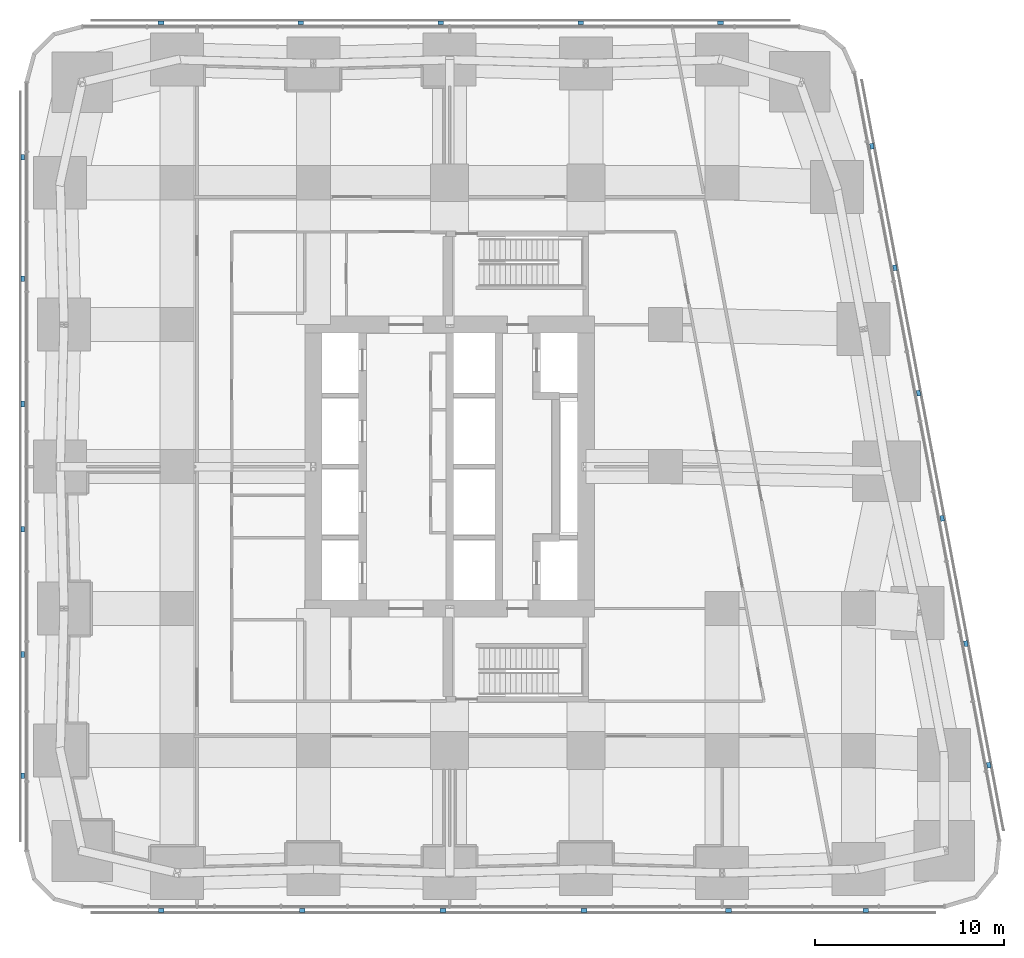
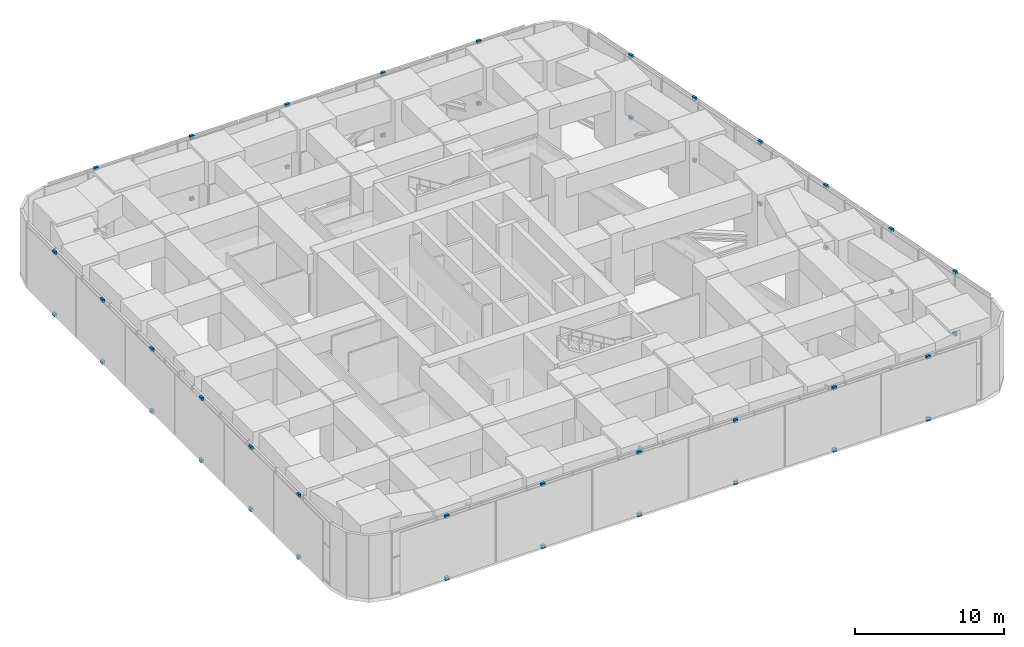
# One storey, part 18 of 20: 46 discrete accessories.
"""IFC4 building model written with IfcOpenShell, lengths in metres."""

from ifc_helpers import new_model, si_unit, direction, frame, origin, origin_2d, place, context, subcontext, project, spatial, rectangle, extrude, material, type_object, element, save


model = new_model("IFC4")

# Units and contexts
model_context = context("Model", 3, precision=1e-05, world=origin(), true_north=direction((0.0, 1.0)))
body_context = subcontext(model_context, "Body", "Model", "MODEL_VIEW")
ifc_project = project(units=[si_unit("LENGTHUNIT", "METRE"), si_unit("AREAUNIT", "SQUARE_METRE"), si_unit("VOLUMEUNIT", "CUBIC_METRE"), si_unit("PLANEANGLEUNIT", "RADIAN"), si_unit("MASSUNIT", "GRAM", prefix="KILO")], contexts=[model_context])

# Site, building, storey
site_placement = place(None, origin())
site = spatial("IfcSite", under=ifc_project, at=site_placement, CompositionType="ELEMENT")
building_placement = place(site_placement, origin())
building = spatial("IfcBuilding", under=site, at=building_placement, Name="Sheger Commons Tower", CompositionType="ELEMENT")
storey_placement = place(building_placement, frame((0.0, 0.0, 72.5)))
storey = spatial("IfcBuildingStorey", under=building, at=storey_placement, Name="L18", CompositionType="ELEMENT", Elevation=72.5)

# Discrete accessories
ifc_material = material(Name="Black painted steel bracket", Category="steel")
discrete_accessory_type = type_object("IfcDiscreteAccessoryType", Name="SCREEN BRACKET 300x200x250", PredefinedType="BRACKET", material=ifc_material)
for number, where, z_axis, x_axis, name in (
    (1, (6.37109375, -0.949951171875, -0.10009765625), (0.0, 0.0, 1.0), (1.0, 0.0, 0.0), "Solar screen foot bracket"),
    (2, (6.37109375, -0.949951171875, 4.949951171875), (0.0, 0.0, 1.0), (1.0, 0.0, 0.0), "Solar screen head bracket"),
    (3, (13.81396484375, -0.949951171875, -0.10009765625), (0.0, 0.0, 1.0), (1.0, 0.0, 0.0), "Solar screen foot bracket"),
    (4, (13.81396484375, -0.949951171875, 4.949951171875), (0.0, 0.0, 1.0), (1.0, 0.0, 0.0), "Solar screen head bracket"),
    (5, (21.257080078125, -0.949951171875, -0.10009765625), (0.0, 0.0, 1.0), (1.0, 0.0, 0.0), "Solar screen foot bracket"),
    (6, (21.257080078125, -0.949951171875, 4.949951171875), (0.0, 0.0, 1.0), (1.0, 0.0, 0.0), "Solar screen head bracket"),
    (7, (28.698974609375, -0.949951171875, -0.10009765625), (0.0, 0.0, 1.0), (1.0, 0.0, 0.0), "Solar screen foot bracket"),
    (8, (28.698974609375, -0.949951171875, 4.949951171875), (0.0, 0.0, 1.0), (1.0, 0.0, 0.0), "Solar screen head bracket"),
    (9, (36.342041015625, -0.949951171875, -0.10009765625), (0.0, 0.0, 1.0), (1.0, 0.0, 0.0), "Solar screen foot bracket"),
    (10, (36.342041015625, -0.949951171875, 4.949951171875), (0.0, 0.0, 1.0), (1.0, 0.0, 0.0), "Solar screen head bracket"),
    (11, (43.5849609375, -0.949951171875, -0.10009765625), (0.0, 0.0, 1.0), (1.0, 0.0, 0.0), "Solar screen foot bracket"),
    (12, (43.5849609375, -0.949951171875, 4.949951171875), (0.0, 0.0, 1.0), (1.0, 0.0, 0.0), "Solar screen head bracket"),
    (13, (50.096923828125, 6.722900390625, -0.10009765625), (0.0, 0.0, 1.0), (-0.185615165645, 0.982622516678, 0.0), "Solar screen foot bracket"),
    (14, (50.096923828125, 6.722900390625, 4.949951171875), (0.0, 0.0, 1.0), (-0.185615165645, 0.982622516678, 0.0), "Solar screen head bracket"),
    (15, (48.884033203125, 13.14599609375, -0.10009765625), (0.0, 0.0, 1.0), (-0.185615165645, 0.982622516678, 0.0), "Solar screen foot bracket"),
    (16, (48.884033203125, 13.14599609375, 4.949951171875), (0.0, 0.0, 1.0), (-0.185615165645, 0.982622516678, 0.0), "Solar screen head bracket"),
    (17, (47.633056640625, 19.76611328125, -0.10009765625), (0.0, 0.0, 1.0), (-0.185615165645, 0.982622516678, 0.0), "Solar screen foot bracket"),
    (18, (47.633056640625, 19.76611328125, 4.949951171875), (0.0, 0.0, 1.0), (-0.185615165645, 0.982622516678, 0.0), "Solar screen head bracket"),
    (19, (46.383056640625, 26.385009765625, -0.10009765625), (0.0, 0.0, 1.0), (-0.185615165645, 0.982622516678, 0.0), "Solar screen foot bracket"),
    (20, (46.383056640625, 26.385009765625, 4.949951171875), (0.0, 0.0, 1.0), (-0.185615165645, 0.982622516678, 0.0), "Solar screen head bracket"),
    (21, (45.133056640625, 33.0048828125, -0.10009765625), (0.0, 0.0, 1.0), (-0.185615165645, 0.982622516678, 0.0), "Solar screen foot bracket"),
    (22, (45.133056640625, 33.0048828125, 4.949951171875), (0.0, 0.0, 1.0), (-0.185615165645, 0.982622516678, 0.0), "Solar screen head bracket"),
    (23, (43.9189453125, 39.427978515625, -0.10009765625), (0.0, 0.0, 1.0), (-0.185615165645, 0.982622516678, 0.0), "Solar screen foot bracket"),
    (24, (43.9189453125, 39.427978515625, 4.949951171875), (0.0, 0.0, 1.0), (-0.185615165645, 0.982622516678, 0.0), "Solar screen head bracket"),
    (25, (35.9208984375, 45.949951171875, -0.10009765625), (0.0, 0.0, 1.0), (-1.0, 0.0, 0.0), "Solar screen foot bracket"),
    (26, (35.9208984375, 45.949951171875, 4.949951171875), (0.0, 0.0, 1.0), (-1.0, 0.0, 0.0), "Solar screen head bracket"),
    (27, (28.528076171875, 45.949951171875, -0.10009765625), (0.0, 0.0, 1.0), (-1.0, 0.0, 0.0), "Solar screen foot bracket"),
    (28, (28.528076171875, 45.949951171875, 4.949951171875), (0.0, 0.0, 1.0), (-1.0, 0.0, 0.0), "Solar screen head bracket"),
    (29, (21.134033203125, 45.949951171875, -0.10009765625), (0.0, 0.0, 1.0), (-1.0, 0.0, 0.0), "Solar screen foot bracket"),
    (30, (21.134033203125, 45.949951171875, 4.949951171875), (0.0, 0.0, 1.0), (-1.0, 0.0, 0.0), "Solar screen head bracket"),
    (31, (13.739990234375, 45.949951171875, -0.10009765625), (0.0, 0.0, 1.0), (-1.0, 0.0, 0.0), "Solar screen foot bracket"),
    (32, (13.739990234375, 45.949951171875, 4.949951171875), (0.0, 0.0, 1.0), (-1.0, 0.0, 0.0), "Solar screen head bracket"),
    (33, (6.346923828125, 45.949951171875, -0.10009765625), (0.0, 0.0, 1.0), (-1.0, 0.0, 0.0), "Solar screen foot bracket"),
    (34, (6.346923828125, 45.949951171875, 4.949951171875), (0.0, 0.0, 1.0), (-1.0, 0.0, 0.0), "Solar screen head bracket"),
    (35, (-0.949951171875, 38.842041015625, -0.10009765625), (0.0, 0.0, 1.0), (0.0, -1.0, 0.0), "Solar screen foot bracket"),
    (36, (-0.949951171875, 38.842041015625, 4.949951171875), (0.0, 0.0, 1.0), (0.0, -1.0, 0.0), "Solar screen head bracket"),
    (37, (-0.949951171875, 32.425048828125, -0.10009765625), (0.0, 0.0, 1.0), (0.0, -1.0, 0.0), "Solar screen foot bracket"),
    (38, (-0.949951171875, 32.425048828125, 4.949951171875), (0.0, 0.0, 1.0), (0.0, -1.0, 0.0), "Solar screen head bracket"),
    (39, (-0.949951171875, 25.80810546875, -0.10009765625), (0.0, 0.0, 1.0), (0.0, -1.0, 0.0), "Solar screen foot bracket"),
    (40, (-0.949951171875, 25.80810546875, 4.949951171875), (0.0, 0.0, 1.0), (0.0, -1.0, 0.0), "Solar screen head bracket"),
    (41, (-0.949951171875, 19.19189453125, -0.10009765625), (0.0, 0.0, 1.0), (0.0, -1.0, 0.0), "Solar screen foot bracket"),
    (42, (-0.949951171875, 19.19189453125, 4.949951171875), (0.0, 0.0, 1.0), (0.0, -1.0, 0.0), "Solar screen head bracket"),
    (43, (-0.949951171875, 12.574951171875, -0.10009765625), (0.0, 0.0, 1.0), (0.0, -1.0, 0.0), "Solar screen foot bracket"),
    (44, (-0.949951171875, 12.574951171875, 4.949951171875), (0.0, 0.0, 1.0), (0.0, -1.0, 0.0), "Solar screen head bracket"),
    (45, (-0.949951171875, 6.157958984375, -0.10009765625), (0.0, 0.0, 1.0), (0.0, -1.0, 0.0), "Solar screen foot bracket"),
    (46, (-0.949951171875, 6.157958984375, 4.949951171875), (0.0, 0.0, 1.0), (0.0, -1.0, 0.0), "Solar screen head bracket"),
):
    element("IfcDiscreteAccessory", number, at=place(storey_placement, frame(where, z_axis=z_axis, x_axis=x_axis)), inside=storey, type_object=discrete_accessory_type, Name=name, PredefinedType="BRACKET", context=body_context, shape_type="SweptSolid", body=[
        extrude(rectangle(XDim=0.300048828125, YDim=0.199951171875, at=origin_2d()), origin(), (0.0, 0.0, 1.0), 0.25),
    ])

save(model, "model.ifc")
